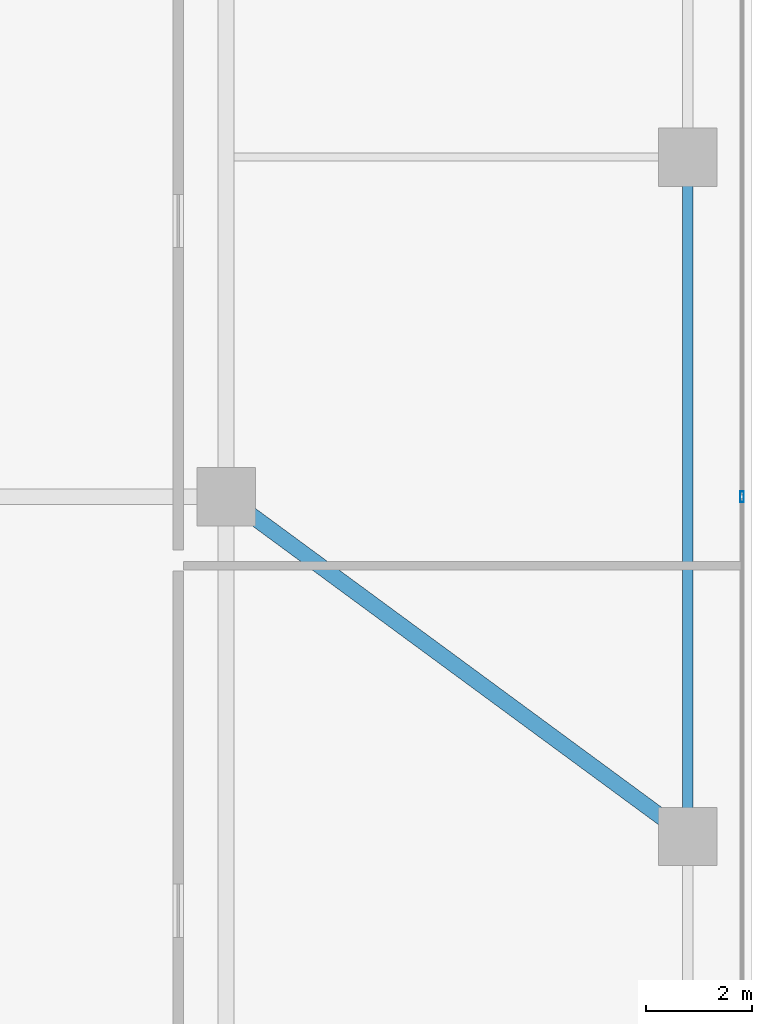
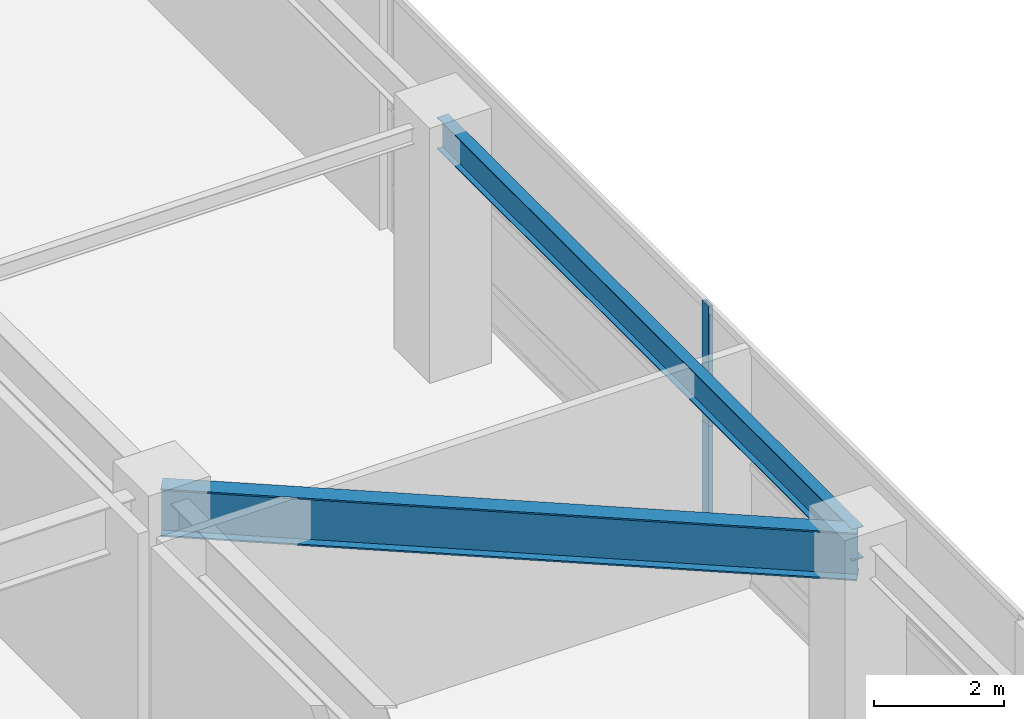
# One storey, part 27 of 37: 2 beams, 2 members, 1 element without a shape of its own.
"""IFC4 building model written with IfcOpenShell, lengths in metres."""

from ifc_helpers import new_model, si_unit, direction, frame, origin, origin_2d, place, context, subcontext, project, spatial, hollow_rectangle, i_section, extrude, source, transform, mapped, material, layer, layer_set, material_profile, profile_set, type_object, element, aggregate, save


model = new_model("IFC4")

# Units and contexts
model_context = context("Model", 3, precision=1e-05, world=origin(), true_north=direction((0.0, 1.0)))
body_context = subcontext(model_context, "Body", "Model", "MODEL_VIEW")
ifc_project = project(units=[si_unit("LENGTHUNIT", "METRE"), si_unit("AREAUNIT", "SQUARE_METRE"), si_unit("VOLUMEUNIT", "CUBIC_METRE"), si_unit("PLANEANGLEUNIT", "RADIAN"), si_unit("MASSUNIT", "GRAM", prefix="KILO"), si_unit("THERMODYNAMICTEMPERATUREUNIT", "KELVIN"), si_unit("POWERUNIT", "WATT")], contexts=[model_context])

# Site, building, storey
site_placement = place(None, origin())
site = spatial("IfcSite", under=ifc_project, at=site_placement, CompositionType="ELEMENT")
building_placement = place(site_placement, origin())
building = spatial("IfcBuilding", under=site, at=building_placement, Name="Yuzanri Waterfront Tower", CompositionType="ELEMENT")
storey_placement = place(building_placement, frame((0.0, 0.0, 5.39990234375)))
storey = spatial("IfcBuildingStorey", under=building, at=storey_placement, Name="L02", CompositionType="ELEMENT", Elevation=5.39990234375)

# Beams
ifc_material_1 = material(Name="Steel Q355B", Category="steel")
ifc_material_profile_1 = material_profile(ifc_material_1, i_section(OverallWidth=0.199951171875, OverallDepth=0.60009765625, WebThickness=0.010986328125, FlangeThickness=0.01708984375, at=origin_2d()), Name="HN 600x200x11x17")
ifc_profile_set_1 = profile_set([ifc_material_profile_1], Name="Steel Q355B")
beam_type_1 = type_object("IfcBeamType", Name="Perimeter Spandrel Q355B HN 600x200", PredefinedType="SPANDREL", material=ifc_profile_set_1)
shared_shape_1 = source(origin(), body_context, "Body", "SweptSolid", [
    extrude(i_section(OverallWidth=0.199951171875, OverallDepth=0.60009765625, WebThickness=0.010986328125, FlangeThickness=0.01708984375, at=origin_2d()), origin(), (0.0, 0.0, 1.0), 12.800048828125),
])
beam_1_placement = place(storey_placement, frame((70.800048828125, 19.39990234375, 4.22021484375), z_axis=(0.0, 1.0, 0.0), x_axis=(-1.0, 0.0, 0.0)))
element("IfcBeam", 1, at=beam_1_placement, inside=storey, type_object=beam_type_1, Name="L02 East Podium Spandrel 2", PredefinedType="SPANDREL", context=body_context, shape_type="MappedRepresentation", body=[
    mapped(shared_shape_1, transform((0.0, 0.0, 0.0), scale=1.0)),
])
ifc_material_2 = material(Name="Steel Q355B", Category="steel")
ifc_material_profile_2 = material_profile(ifc_material_2, i_section(OverallWidth=0.300048828125, OverallDepth=0.89990234375, WebThickness=0.01611328125, FlangeThickness=0.028076171875, at=origin_2d()), Name="HN 900x300x16x28")
ifc_profile_set_2 = profile_set([ifc_material_profile_2], Name="Steel Q355B")
beam_type_2 = type_object("IfcBeamType", Name="Primary Podium Girder Q355B HN 900x300", PredefinedType="BEAM", material=ifc_profile_set_2)
shared_shape_2 = source(origin(), body_context, "Body", "SweptSolid", [
    extrude(i_section(OverallWidth=0.300048828125, OverallDepth=0.89990234375, WebThickness=0.01611328125, FlangeThickness=0.028076171875, at=origin_2d()), origin(), (0.0, 0.0, 1.0), 10.800537109375),
])
beam_2_placement = place(storey_placement, frame((62.10009765625, 25.800048828125, 4.070068359375), z_axis=(0.805512964712, -0.592578149851, 0.0), x_axis=(0.592578149851, 0.805512964712, 0.0)))
element("IfcBeam", 2, at=beam_2_placement, inside=storey, type_object=beam_type_2, Name="L02 Podium East Girder 2", PredefinedType="BEAM", context=body_context, shape_type="MappedRepresentation", body=[
    mapped(shared_shape_2, transform((0.0, 0.0, 0.0), scale=1.0)),
])

# Curtain wall, members
ifc_material_3 = material(Name="Anodized Architectural Bronze", Category="metal")
ifc_layer = layer(ifc_material_3, 0.159912109375)
ifc_layer_set = layer_set([ifc_layer], Name="Anodized Architectural Bronze")
curtain_wall_type = type_object("IfcCurtainWallType", Name="Anodized Bronze Podium Waterfront Double-Height Unitized Curtain Wall 8400", PredefinedType="NOTDEFINED", material=ifc_layer_set)
curtain_wall_placement = place(storey_placement, origin())
curtain_wall = element("IfcCurtainWall", 3, at=curtain_wall_placement, inside=storey, type_object=curtain_wall_type, Name="L02 Curtain Wall CW-L02-E", PredefinedType="NOTDEFINED")
ifc_material_4 = material(Name="Anodized Architectural Bronze", Category="metal")
ifc_material_profile_3 = material_profile(ifc_material_4, hollow_rectangle(XDim=0.074951171875, YDim=0.199951171875, WallThickness=0.00390625, at=origin_2d()), Name="CWM 75x200")
ifc_profile_set_3 = profile_set([ifc_material_profile_3], Name="Anodized Architectural Bronze")
member_type = type_object("IfcMemberType", Name="Anodized Bronze Primary Curtain-Wall Mullion 75x200", PredefinedType="MULLION", material=ifc_profile_set_3)
shared_shape_3 = source(origin(), body_context, "Body", "SweptSolid", [
    extrude(hollow_rectangle(XDim=0.074951171875, YDim=0.199951171875, WallThickness=0.00390625, at=origin_2d()), origin(), (0.0, 0.0, 1.0), 2.258056640625),
])
member_1_placement = place(storey_placement, frame((71.820068359375, 25.800048828125, 0.0), z_axis=(0.0, 0.0, 1.0), x_axis=(1.0, 0.0, 0.0)))
member_1 = element("IfcMember", 4, at=member_1_placement, type_object=member_type, Name="CW-L02-E Lower Mullion 01", PredefinedType="MULLION", context=body_context, shape_type="MappedRepresentation", body=[
    mapped(shared_shape_3, transform((0.0, 0.0, 0.0), scale=1.0)),
])
shared_shape_4 = source(origin(), body_context, "Body", "SweptSolid", [
    extrude(hollow_rectangle(XDim=0.074951171875, YDim=0.199951171875, WallThickness=0.00390625, at=origin_2d()), origin(), (0.0, 0.0, 1.0), 2.2578125),
])
member_2_placement = place(storey_placement, frame((71.820068359375, 25.800048828125, 2.26220703125), z_axis=(0.0, 0.0, 1.0), x_axis=(1.0, 0.0, 0.0)))
member_2 = element("IfcMember", 5, at=member_2_placement, type_object=member_type, Name="CW-L02-E Upper Mullion 01", PredefinedType="MULLION", context=body_context, shape_type="MappedRepresentation", body=[
    mapped(shared_shape_4, transform((0.0, 0.0, 0.0), scale=1.0)),
])
aggregate(curtain_wall, [member_1, member_2])

save(model, "model.ifc")
